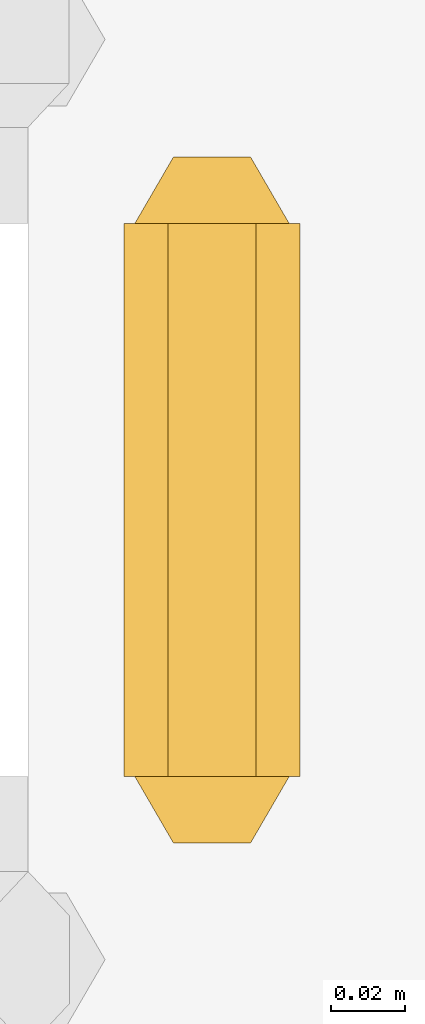
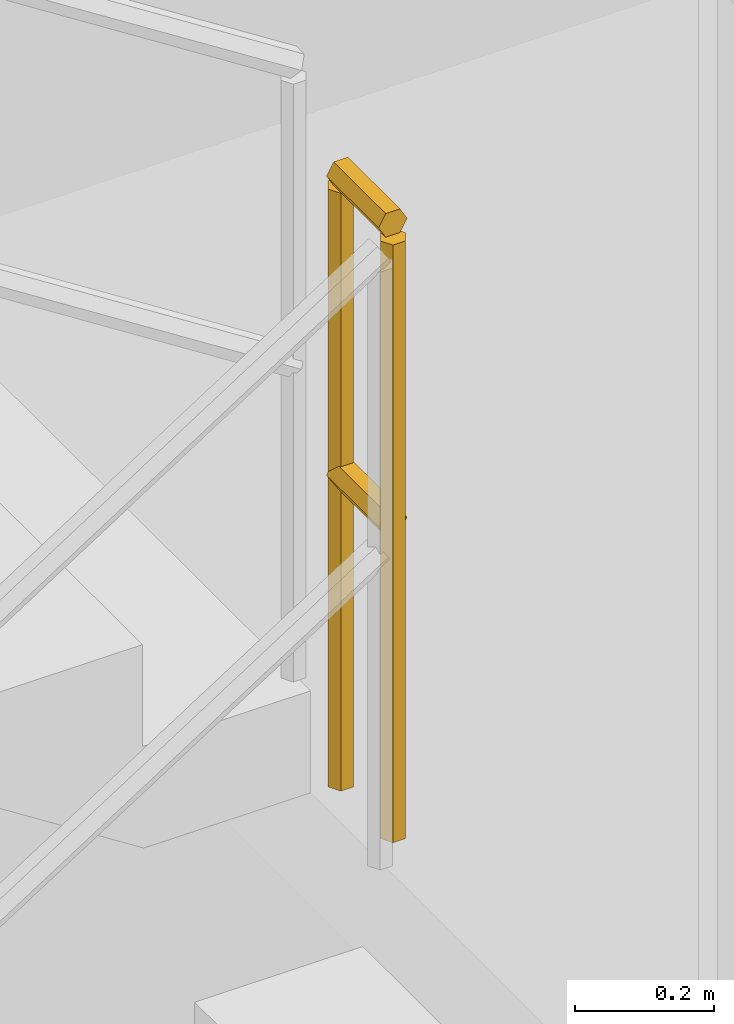
# One storey, part 8 of 8: 1 railing.
"""IFC4 building model written with IfcOpenShell, lengths in metres."""

from ifc_helpers import new_model, si_unit, direction, frame, origin, place, context, subcontext, project, spatial, polyline, outline, extrude, material, type_object, element, save


model = new_model("IFC4")

# Units and contexts
model_context = context("Model", 3, precision=1e-05, world=origin(), true_north=direction((0.0, 1.0)))
body_context = subcontext(model_context, "Body", "Model", "MODEL_VIEW")
ifc_project = project(units=[si_unit("LENGTHUNIT", "METRE"), si_unit("AREAUNIT", "SQUARE_METRE"), si_unit("VOLUMEUNIT", "CUBIC_METRE"), si_unit("PLANEANGLEUNIT", "RADIAN"), si_unit("MASSUNIT", "GRAM", prefix="KILO")], contexts=[model_context])

# Site, building, storey
site_placement = place(None, origin())
site = spatial("IfcSite", under=ifc_project, at=site_placement, CompositionType="ELEMENT")
building_placement = place(site_placement, origin())
building = spatial("IfcBuilding", under=site, at=building_placement, Name="Kelanora Arch Commons", CompositionType="ELEMENT")
storey_placement = place(building_placement, frame((0.0, 0.0, 242.9599609375)))
storey = spatial("IfcBuildingStorey", under=building, at=storey_placement, Name="L62", CompositionType="ELEMENT", Elevation=242.9599609375)

# Railing
ifc_material = material(Name="Painted steel stair well guard", Category="steel")
railing_type = type_object("IfcRailingType", Name="RAIL-STAIR-GRD", PredefinedType="GUARDRAIL", material=ifc_material)
railing_placement = place(storey_placement, frame((71.969970703125, 62.659912109375, 2.8701171875)))
element("IfcRailing", 1, at=railing_placement, inside=storey, type_object=railing_type, Name="L62 ST-T1 stair guard 2", PredefinedType="GUARDRAIL", context=body_context, shape_type="SweptSolid", body=[
    extrude(outline(polyline([(0.02392578125, 0.0), (0.011962890625, 0.020751953125), (-0.011962890625, 0.020751953125), (-0.02392578125, 0.0), (-0.011962890625, -0.020751953125), (0.011962890625, -0.020751953125), (0.02392578125, 0.0)])), frame((0.0, 0.0, 1.076171875), z_axis=(0.0, 1.0, 0.0), x_axis=(-1.0, 0.0, 0.0)), (0.0, 0.0, 1.0), 0.150146484375),
    extrude(outline(polyline([(0.02392578125, 0.0), (0.011962890625, 0.020751953125), (-0.011962890625, 0.020751953125), (-0.02392578125, 0.0), (-0.011962890625, -0.020751953125), (0.011962890625, -0.020751953125), (0.02392578125, 0.0)])), frame((0.0, 0.0, 0.550048828125), z_axis=(0.0, 1.0, 0.0), x_axis=(-1.0, 0.0, 0.0)), (0.0, 0.0, 1.0), 0.150146484375),
    extrude(outline(polyline([(0.02099609375, 0.0), (0.010498046875, 0.01806640625), (-0.010498046875, 0.01806640625), (-0.02099609375, 0.0), (-0.010498046875, -0.01806640625), (0.010498046875, -0.01806640625), (0.02099609375, 0.0)])), origin(), (0.0, 0.0, 1.0), 1.052001953125),
    extrude(outline(polyline([(0.02099609375, 0.0), (0.010498046875, 0.01806640625), (-0.010498046875, 0.01806640625), (-0.02099609375, 0.0), (-0.010498046875, -0.01806640625), (0.010498046875, -0.01806640625), (0.02099609375, 0.0)])), frame((0.0, 0.150146484375, 0.0)), (0.0, 0.0, 1.0), 1.052001953125),
])

save(model, "model.ifc")
